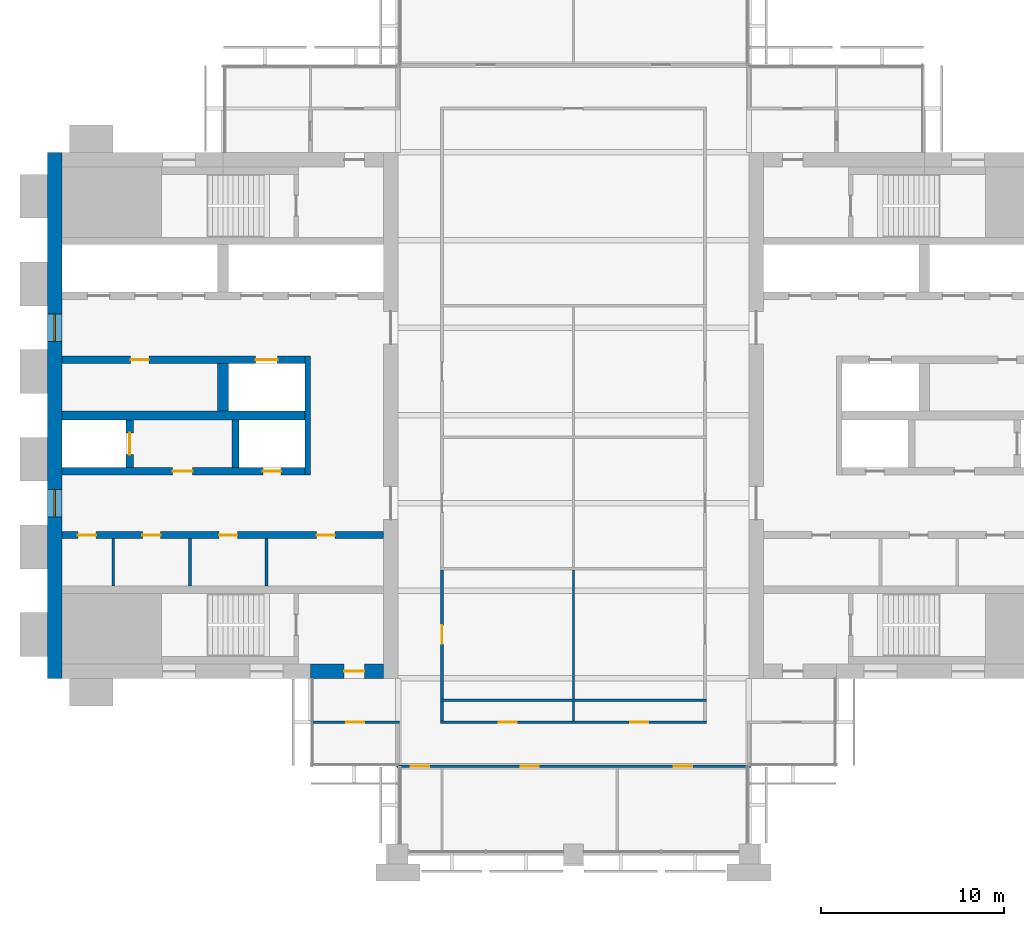
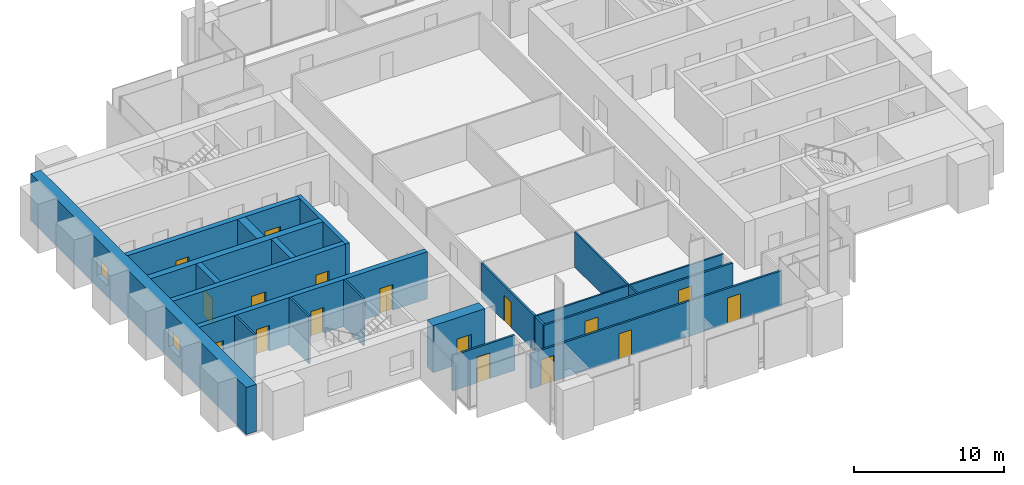
# One storey, part 8 of 13: 21 walls, 17 doors, 2 windows, 19 openings.
"""IFC4 building model written with IfcOpenShell, lengths in metres."""

from ifc_helpers import new_model, si_unit, direction, frame, frame_2d, origin, place, context, subcontext, project, spatial, rectangle, extrude, material, layer, layer_set, type_object, element, fill, save


model = new_model("IFC4")

# Units and contexts
model_context = context("Model", 3, precision=1e-05, world=origin(), true_north=direction((0.0, 1.0)))
body_context = subcontext(model_context, "Body", "Model", "MODEL_VIEW")
ifc_project = project(units=[si_unit("LENGTHUNIT", "METRE"), si_unit("AREAUNIT", "SQUARE_METRE"), si_unit("VOLUMEUNIT", "CUBIC_METRE"), si_unit("PLANEANGLEUNIT", "RADIAN"), si_unit("MASSUNIT", "GRAM", prefix="KILO")], contexts=[model_context])

# Site, building, storey
site_placement = place(None, origin())
site = spatial("IfcSite", under=ifc_project, at=site_placement, CompositionType="ELEMENT")
building_placement = place(site_placement, origin())
building = spatial("IfcBuilding", under=site, at=building_placement, Name="Baori Bourse Tower", CompositionType="ELEMENT")
storey_placement = place(building_placement, frame((0.0, 0.0, 237.199951171875)))
storey = spatial("IfcBuildingStorey", under=building, at=storey_placement, Name="L52", CompositionType="ELEMENT", Elevation=237.199951171875)

# Walls
ifc_material_1 = material(Name="Blockwork partition", Category="masonry")
ifc_layer_1 = layer(ifc_material_1, 0.14990234375)
ifc_layer_set_1 = layer_set([ifc_layer_1], Name="Core partition 150")
wall_type_1 = type_object("IfcWallType", Name="Core partition 150", PredefinedType="PARTITIONING", material=ifc_layer_set_1)
for number, where, z_axis, x_axis, name in (
    (1, (3.60009765625, 14.64990234375, 0.0), (0.0, 0.0, 1.0), (0.0, 1.0, 0.0), "Partition wall W09"),
    (2, (7.800048828125, 14.64990234375, 0.0), (0.0, 0.0, 1.0), (0.0, 1.0, 0.0), "Partition wall W10"),
    (3, (12.0, 14.64990234375, 0.0), (0.0, 0.0, 1.0), (0.0, 1.0, 0.0), "Partition wall W11"),
):
    element("IfcWall", number, at=place(storey_placement, frame(where, z_axis=z_axis, x_axis=x_axis)), inside=storey, type_object=wall_type_1, Name=name, PredefinedType="PARTITIONING", context=body_context, shape_type="SweptSolid", body=[
        extrude(rectangle(XDim=2.60009765625, YDim=0.14990234375, at=frame_2d((1.300048828125, 0.0))), origin(), (0.0, 0.0, 1.0), 3.840087890625),
    ])

# Wall, openings, windows
ifc_material_2 = material(Name="Concrete f'c 50 MPa", Category="concrete")
ifc_layer_2 = layer(ifc_material_2, 0.800048828125)
ifc_layer_set_2 = layer_set([ifc_layer_2], Name="Core wall 800 f'c 50")
wall_type_2 = type_object("IfcWallType", Name="Core wall 800 f'c 50", PredefinedType="SHEAR", material=ifc_layer_set_2)
wall_1_placement = place(storey_placement, frame((0.39990234375, 9.60009765625, 0.0), z_axis=(0.0, 0.0, 1.0), x_axis=(0.0, 1.0, 0.0)))
wall_1 = element("IfcWall", 4, at=wall_1_placement, inside=storey, type_object=wall_type_2, Name="Core wall W01", PredefinedType="SHEAR", context=body_context, shape_type="SweptSolid", body=[
    extrude(rectangle(XDim=28.7998046875, YDim=0.800048828125, at=frame_2d((14.39990234375, 0.0))), origin(), (0.0, 0.0, 1.0), 3.840087890625),
])
opening_1_placement = place(wall_1_placement, frame((8.85009765625, 0.0, 0.89990234375)))
opening_1 = element("IfcOpeningElement", 5, at=opening_1_placement, cuts=wall_1, Name="Opening L52-KW101", PredefinedType="OPENING", context=body_context, shape_type="SweptSolid", body=[
    extrude(rectangle(XDim=1.5, YDim=1.5, at=frame_2d((0.75, 0.75))), frame((0.0, 0.409912109375, 0.0), z_axis=(0.0, -1.0, 0.0), x_axis=(1.0, 0.0, 0.0)), (0.0, 0.0, 1.0), 0.820068359375),
])
opening_2_placement = place(wall_1_placement, frame((18.449951171875, 0.0, 0.89990234375)))
opening_2 = element("IfcOpeningElement", 6, at=opening_2_placement, cuts=wall_1, Name="Opening L52-KW102", PredefinedType="OPENING", context=body_context, shape_type="SweptSolid", body=[
    extrude(rectangle(XDim=1.5, YDim=1.5, at=frame_2d((0.75, 0.75))), frame((0.0, 0.409912109375, 0.0), z_axis=(0.0, -1.0, 0.0), x_axis=(1.0, 0.0, 0.0)), (0.0, 0.0, 1.0), 0.820068359375),
])
ifc_material_3 = material(Name="Pale anodised aluminium", Category="aluminium")
window_type = type_object("IfcWindowType", Name="Lobby window 1500 x 1500", PartitioningType="SINGLE_PANEL", PredefinedType="WINDOW", material=ifc_material_3)
window_1_placement = place(opening_1_placement, origin())
window_1 = element("IfcWindow", 7, at=window_1_placement, inside=storey, type_object=window_type, Name="Outer wall window W L52 1", OverallHeight=1.5, OverallWidth=1.5, PartitioningType="SINGLE_PANEL", PredefinedType="WINDOW", context=body_context, shape_type="SweptSolid", body=[
    extrude(rectangle(XDim=1.5, YDim=1.5, at=frame_2d((0.75, 0.75))), frame((0.0, 0.030029296875, 0.0), z_axis=(0.0, -1.0, 0.0), x_axis=(1.0, 0.0, 0.0)), (0.0, 0.0, 1.0), 0.06005859375),
])
fill(opening_1, window_1)
window_2_placement = place(opening_2_placement, origin())
window_2 = element("IfcWindow", 8, at=window_2_placement, inside=storey, type_object=window_type, Name="Outer wall window W L52 2", OverallHeight=1.5, OverallWidth=1.5, PartitioningType="SINGLE_PANEL", PredefinedType="WINDOW", context=body_context, shape_type="SweptSolid", body=[
    extrude(rectangle(XDim=1.5, YDim=1.5, at=frame_2d((0.75, 0.75))), frame((0.0, 0.030029296875, 0.0), z_axis=(0.0, -1.0, 0.0), x_axis=(1.0, 0.0, 0.0)), (0.0, 0.0, 1.0), 0.06005859375),
])
fill(opening_2, window_2)

# Wall, opening, door
wall_2_placement = place(storey_placement, frame((18.39990234375, 10.0, 0.0), z_axis=(0.0, 0.0, 1.0), x_axis=(-1.0, 0.0, 0.0)))
wall_2 = element("IfcWall", 9, at=wall_2_placement, inside=storey, type_object=wall_type_2, Name="Core wall W03", PredefinedType="SHEAR", context=body_context, shape_type="SweptSolid", body=[
    extrude(rectangle(XDim=4.0, YDim=0.800048828125, at=frame_2d((2.0, 0.0))), origin(), (0.0, 0.0, 1.0), 3.840087890625),
])
opening_3_placement = place(wall_2_placement, frame((1.050048828125, 0.0, 0.0)))
opening_3 = element("IfcOpeningElement", 10, at=opening_3_placement, cuts=wall_2, Name="Opening L52-D102", PredefinedType="OPENING", context=body_context, shape_type="SweptSolid", body=[
    extrude(rectangle(XDim=1.10009765625, YDim=2.10009765625, at=frame_2d((0.550048828125, 1.050048828125))), frame((0.0, 0.409912109375, 0.0), z_axis=(0.0, -1.0, 0.0), x_axis=(1.0, 0.0, 0.0)), (0.0, 0.0, 1.0), 0.820068359375),
])
ifc_material_4 = material(Name="Painted steel door", Category="steel")
door_type_1 = type_object("IfcDoorType", Name="Stair door 1100", OperationType="SINGLE_SWING_LEFT", PredefinedType="DOOR", material=ifc_material_4)
door_1_placement = place(opening_3_placement, origin())
door_1 = element("IfcDoor", 11, at=door_1_placement, inside=storey, type_object=door_type_1, Name="Stair vestibule door A W L52", OperationType="SINGLE_SWING_LEFT", OverallHeight=2.10009765625, OverallWidth=1.10009765625, PredefinedType="DOOR", context=body_context, shape_type="SweptSolid", body=[
    extrude(rectangle(XDim=1.10009765625, YDim=2.10009765625, at=frame_2d((0.550048828125, 1.050048828125))), frame((0.0, 0.02490234375, 0.0), z_axis=(0.0, -1.0, 0.0), x_axis=(1.0, 0.0, 0.0)), (0.0, 0.0, 1.0), 0.050048828125),
])
fill(opening_3, door_1)

# Wall, openings, doors
ifc_material_5 = material(Name="Gypsum board partition")
ifc_layer_3 = layer(ifc_material_5, 0.14990234375)
ifc_layer_set_3 = layer_set([ifc_layer_3], Name="Corridor partition 150")
wall_type_3 = type_object("IfcWallType", Name="Corridor partition 150", PredefinedType="PARTITIONING", material=ifc_layer_set_3)
wall_3_placement = place(storey_placement, frame((19.125, 4.800048828125, 0.0), z_axis=(0.0, 0.0, 1.0), x_axis=(1.0, 0.0, 0.0)))
wall_3 = element("IfcWall", 12, at=wall_3_placement, inside=storey, type_object=wall_type_3, Name="Partition", PredefinedType="PARTITIONING", context=body_context, shape_type="SweptSolid", body=[
    extrude(rectangle(XDim=19.35009765625, YDim=0.14990234375, at=frame_2d((9.675048828125, 0.0))), origin(), (0.0, 0.0, 1.0), 2.869873046875),
])
opening_4_placement = place(wall_3_placement, frame((0.77490234375, 0.0, 0.0)))
opening_4 = element("IfcOpeningElement", 13, at=opening_4_placement, cuts=wall_3, Name="Opening L52-D01", PredefinedType="OPENING", context=body_context, shape_type="SweptSolid", body=[
    extrude(rectangle(XDim=1.0, YDim=2.10009765625, at=frame_2d((0.5, 1.050048828125))), frame((0.0, 0.0849609375, 0.0), z_axis=(0.0, -1.0, 0.0), x_axis=(1.0, 0.0, 0.0)), (0.0, 0.0, 1.0), 0.169921875),
])
opening_5_placement = place(wall_3_placement, frame((6.77490234375, 0.0, 0.0)))
opening_5 = element("IfcOpeningElement", 14, at=opening_5_placement, cuts=wall_3, Name="Opening L52-D02", PredefinedType="OPENING", context=body_context, shape_type="SweptSolid", body=[
    extrude(rectangle(XDim=1.0, YDim=2.10009765625, at=frame_2d((0.5, 1.050048828125))), frame((0.0, 0.0849609375, 0.0), z_axis=(0.0, -1.0, 0.0), x_axis=(1.0, 0.0, 0.0)), (0.0, 0.0, 1.0), 0.169921875),
])
opening_6_placement = place(wall_3_placement, frame((15.175048828125, 0.0, 0.0)))
opening_6 = element("IfcOpeningElement", 15, at=opening_6_placement, cuts=wall_3, Name="Opening L52-D03", PredefinedType="OPENING", context=body_context, shape_type="SweptSolid", body=[
    extrude(rectangle(XDim=1.0, YDim=2.10009765625, at=frame_2d((0.5, 1.050048828125))), frame((0.0, 0.0849609375, 0.0), z_axis=(0.0, -1.0, 0.0), x_axis=(1.0, 0.0, 0.0)), (0.0, 0.0, 1.0), 0.169921875),
])
ifc_material_6 = material(Name="Timber door leaf", Category="wood")
door_type_2 = type_object("IfcDoorType", Name="Door 1000 x 2100", OperationType="SINGLE_SWING_LEFT", PredefinedType="DOOR", material=ifc_material_6)
door_2_placement = place(opening_4_placement, origin())
door_2 = element("IfcDoor", 16, at=door_2_placement, inside=storey, type_object=door_type_2, Name="Door", OperationType="SINGLE_SWING_LEFT", OverallHeight=2.10009765625, OverallWidth=1.0, PredefinedType="DOOR", context=body_context, shape_type="SweptSolid", body=[
    extrude(rectangle(XDim=1.0, YDim=2.10009765625, at=frame_2d((0.5, 1.050048828125))), frame((0.0, 0.02490234375, 0.0), z_axis=(0.0, -1.0, 0.0), x_axis=(1.0, 0.0, 0.0)), (0.0, 0.0, 1.0), 0.050048828125),
])
fill(opening_4, door_2)
door_3_placement = place(opening_5_placement, origin())
door_3 = element("IfcDoor", 17, at=door_3_placement, inside=storey, type_object=door_type_2, Name="Door", OperationType="SINGLE_SWING_LEFT", OverallHeight=2.10009765625, OverallWidth=1.0, PredefinedType="DOOR", context=body_context, shape_type="SweptSolid", body=[
    extrude(rectangle(XDim=1.0, YDim=2.10009765625, at=frame_2d((0.5, 1.050048828125))), frame((0.0, 0.02490234375, 0.0), z_axis=(0.0, -1.0, 0.0), x_axis=(1.0, 0.0, 0.0)), (0.0, 0.0, 1.0), 0.050048828125),
])
fill(opening_5, door_3)
door_4_placement = place(opening_6_placement, origin())
door_4 = element("IfcDoor", 18, at=door_4_placement, inside=storey, type_object=door_type_2, Name="Door", OperationType="SINGLE_SWING_RIGHT", OverallHeight=2.10009765625, OverallWidth=1.0, PredefinedType="DOOR", context=body_context, shape_type="SweptSolid", body=[
    extrude(rectangle(XDim=1.0, YDim=2.10009765625, at=frame_2d((0.5, 1.050048828125))), frame((0.0, 0.02490234375, 0.0), z_axis=(0.0, -1.0, 0.0), x_axis=(1.0, 0.0, 0.0)), (0.0, 0.0, 1.0), 0.050048828125),
])
fill(opening_6, door_4)

# Wall, opening, door
wall_4_placement = place(storey_placement, frame((14.5, 7.199951171875, 0.0), z_axis=(0.0, 0.0, 1.0), x_axis=(1.0, 0.0, 0.0)))
wall_4 = element("IfcWall", 19, at=wall_4_placement, inside=storey, type_object=wall_type_3, Name="Partition", PredefinedType="PARTITIONING", context=body_context, shape_type="SweptSolid", body=[
    extrude(rectangle(XDim=4.77490234375, YDim=0.14990234375, at=frame_2d((2.387451171875, 0.0))), origin(), (0.0, 0.0, 1.0), 2.869873046875),
])
opening_7_placement = place(wall_4_placement, frame((1.85009765625, 0.0, 0.0)))
opening_7 = element("IfcOpeningElement", 20, at=opening_7_placement, cuts=wall_4, Name="Opening L52-D04", PredefinedType="OPENING", context=body_context, shape_type="SweptSolid", body=[
    extrude(rectangle(XDim=1.0, YDim=2.10009765625, at=frame_2d((0.5, 1.050048828125))), frame((0.0, 0.0849609375, 0.0), z_axis=(0.0, -1.0, 0.0), x_axis=(1.0, 0.0, 0.0)), (0.0, 0.0, 1.0), 0.169921875),
])
door_5_placement = place(opening_7_placement, origin())
door_5 = element("IfcDoor", 21, at=door_5_placement, inside=storey, type_object=door_type_2, Name="Door", OperationType="SINGLE_SWING_LEFT", OverallHeight=2.10009765625, OverallWidth=1.0, PredefinedType="DOOR", context=body_context, shape_type="SweptSolid", body=[
    extrude(rectangle(XDim=1.0, YDim=2.10009765625, at=frame_2d((0.5, 1.050048828125))), frame((0.0, 0.02490234375, 0.0), z_axis=(0.0, -1.0, 0.0), x_axis=(1.0, 0.0, 0.0)), (0.0, 0.0, 1.0), 0.050048828125),
])
fill(opening_7, door_5)

# Wall, openings, doors
wall_5_placement = place(storey_placement, frame((21.52490234375, 7.199951171875, 0.0), z_axis=(0.0, 0.0, 1.0), x_axis=(1.0, 0.0, 0.0)))
wall_5 = element("IfcWall", 22, at=wall_5_placement, inside=storey, type_object=wall_type_3, Name="Partition", PredefinedType="PARTITIONING", context=body_context, shape_type="SweptSolid", body=[
    extrude(rectangle(XDim=14.550048828125, YDim=0.14990234375, at=frame_2d((7.27490234375, 0.0))), origin(), (0.0, 0.0, 1.0), 2.869873046875),
])
opening_8_placement = place(wall_5_placement, frame((3.175048828125, 0.0, 0.0)))
opening_8 = element("IfcOpeningElement", 23, at=opening_8_placement, cuts=wall_5, Name="Opening L52-D05", PredefinedType="OPENING", context=body_context, shape_type="SweptSolid", body=[
    extrude(rectangle(XDim=1.0, YDim=2.10009765625, at=frame_2d((0.5, 1.050048828125))), frame((0.0, 0.0849609375, 0.0), z_axis=(0.0, -1.0, 0.0), x_axis=(1.0, 0.0, 0.0)), (0.0, 0.0, 1.0), 0.169921875),
])
opening_9_placement = place(wall_5_placement, frame((10.375, 0.0, 0.0)))
opening_9 = element("IfcOpeningElement", 24, at=opening_9_placement, cuts=wall_5, Name="Opening L52-D06", PredefinedType="OPENING", context=body_context, shape_type="SweptSolid", body=[
    extrude(rectangle(XDim=1.0, YDim=2.10009765625, at=frame_2d((0.5, 1.050048828125))), frame((0.0, 0.0849609375, 0.0), z_axis=(0.0, -1.0, 0.0), x_axis=(1.0, 0.0, 0.0)), (0.0, 0.0, 1.0), 0.169921875),
])
door_6_placement = place(opening_8_placement, origin())
door_6 = element("IfcDoor", 25, at=door_6_placement, inside=storey, type_object=door_type_2, Name="Door", OperationType="SINGLE_SWING_RIGHT", OverallHeight=2.10009765625, OverallWidth=1.0, PredefinedType="DOOR", context=body_context, shape_type="SweptSolid", body=[
    extrude(rectangle(XDim=1.0, YDim=2.10009765625, at=frame_2d((0.5, 1.050048828125))), frame((0.0, 0.02490234375, 0.0), z_axis=(0.0, -1.0, 0.0), x_axis=(1.0, 0.0, 0.0)), (0.0, 0.0, 1.0), 0.050048828125),
])
fill(opening_8, door_6)
door_7_placement = place(opening_9_placement, origin())
door_7 = element("IfcDoor", 26, at=door_7_placement, inside=storey, type_object=door_type_2, Name="Door", OperationType="SINGLE_SWING_LEFT", OverallHeight=2.10009765625, OverallWidth=1.0, PredefinedType="DOOR", context=body_context, shape_type="SweptSolid", body=[
    extrude(rectangle(XDim=1.0, YDim=2.10009765625, at=frame_2d((0.5, 1.050048828125))), frame((0.0, 0.02490234375, 0.0), z_axis=(0.0, -1.0, 0.0), x_axis=(1.0, 0.0, 0.0)), (0.0, 0.0, 1.0), 0.050048828125),
])
fill(opening_9, door_7)

# Wall
wall_6_placement = place(storey_placement, frame((21.60009765625, 7.27490234375, 0.0), z_axis=(0.0, 0.0, 1.0), x_axis=(0.0, 1.0, 0.0)))
element("IfcWall", 27, at=wall_6_placement, inside=storey, type_object=wall_type_3, Name="Partition", PredefinedType="PARTITIONING", context=body_context, shape_type="SweptSolid", body=[
    extrude(rectangle(XDim=1.0625, YDim=0.14990234375, at=frame_2d((0.53125, 0.0))), origin(), (0.0, 0.0, 1.0), 2.869873046875),
])

# Wall, opening, door
wall_7_placement = place(storey_placement, frame((21.60009765625, 8.46240234375, 0.0), z_axis=(0.0, 0.0, 1.0), x_axis=(0.0, 1.0, 0.0)))
wall_7 = element("IfcWall", 28, at=wall_7_placement, inside=storey, type_object=wall_type_3, Name="Partition", PredefinedType="PARTITIONING", context=body_context, shape_type="SweptSolid", body=[
    extrude(rectangle(XDim=7.0751953125, YDim=0.14990234375, at=frame_2d((3.53759765625, 0.0))), origin(), (0.0, 0.0, 1.0), 2.869873046875),
])
opening_10_placement = place(wall_7_placement, frame((3.03759765625, 0.0, 0.0)))
opening_10 = element("IfcOpeningElement", 29, at=opening_10_placement, cuts=wall_7, Name="Opening L52-D14", PredefinedType="OPENING", context=body_context, shape_type="SweptSolid", body=[
    extrude(rectangle(XDim=1.0, YDim=2.10009765625, at=frame_2d((0.5, 1.050048828125))), frame((0.0, 0.0849609375, 0.0), z_axis=(0.0, -1.0, 0.0), x_axis=(1.0, 0.0, 0.0)), (0.0, 0.0, 1.0), 0.169921875),
])
door_8_placement = place(opening_10_placement, origin())
door_8 = element("IfcDoor", 30, at=door_8_placement, inside=storey, type_object=door_type_2, Name="Door", OperationType="SINGLE_SWING_LEFT", OverallHeight=2.10009765625, OverallWidth=1.0, PredefinedType="DOOR", context=body_context, shape_type="SweptSolid", body=[
    extrude(rectangle(XDim=1.0, YDim=2.10009765625, at=frame_2d((0.5, 1.050048828125))), frame((0.0, 0.02490234375, 0.0), z_axis=(0.0, -1.0, 0.0), x_axis=(1.0, 0.0, 0.0)), (0.0, 0.0, 1.0), 0.050048828125),
])
fill(opening_10, door_8)

# Walls
ifc_material_7 = material(Name="Gypsum board partition")
ifc_layer_4 = layer(ifc_material_7, 0.125)
ifc_layer_set_4 = layer_set([ifc_layer_4], Name="Partition 125")
wall_type_4 = type_object("IfcWallType", Name="Partition 125", PredefinedType="PARTITIONING", material=ifc_layer_set_4)
wall_8_placement = place(storey_placement, frame((21.52490234375, 8.39990234375, 0.0), z_axis=(0.0, 0.0, 1.0), x_axis=(1.0, 0.0, 0.0)))
element("IfcWall", 31, at=wall_8_placement, inside=storey, type_object=wall_type_4, Name="Partition", PredefinedType="PARTITIONING", context=body_context, shape_type="SweptSolid", body=[
    extrude(rectangle(XDim=14.550048828125, YDim=0.125, at=frame_2d((7.27490234375, 0.0))), origin(), (0.0, 0.0, 1.0), 2.869873046875),
])
wall_9_placement = place(storey_placement, frame((28.800048828125, 7.27490234375, 0.0), z_axis=(0.0, 0.0, 1.0), x_axis=(0.0, 1.0, 0.0)))
element("IfcWall", 32, at=wall_9_placement, inside=storey, type_object=wall_type_4, Name="Partition", PredefinedType="PARTITIONING", context=body_context, shape_type="SweptSolid", body=[
    extrude(rectangle(XDim=1.0625, YDim=0.125, at=frame_2d((0.53125, 0.0))), origin(), (0.0, 0.0, 1.0), 2.869873046875),
])
wall_10_placement = place(storey_placement, frame((28.800048828125, 8.46240234375, 0.0), z_axis=(0.0, 0.0, 1.0), x_axis=(0.0, 1.0, 0.0)))
element("IfcWall", 33, at=wall_10_placement, inside=storey, type_object=wall_type_4, Name="Partition", PredefinedType="PARTITIONING", context=body_context, shape_type="SweptSolid", body=[
    extrude(rectangle(XDim=7.0751953125, YDim=0.125, at=frame_2d((3.53759765625, 0.0))), origin(), (0.0, 0.0, 1.0), 2.869873046875),
])
ifc_material_8 = material(Name="Concrete f'c 50 MPa", Category="concrete")
ifc_layer_5 = layer(ifc_material_8, 0.300048828125)
ifc_layer_set_5 = layer_set([ifc_layer_5], Name="Shaft wall 300 f'c 50")
wall_type_5 = type_object("IfcWallType", Name="Shaft wall 300 f'c 50", PredefinedType="SHEAR", material=ifc_layer_set_5)
wall_11_placement = place(storey_placement, frame((14.25, 20.75, 0.0), z_axis=(0.0, 0.0, 1.0), x_axis=(0.0, 1.0, 0.0)))
element("IfcWall", 34, at=wall_11_placement, inside=storey, type_object=wall_type_5, Name="Core wall W14", PredefinedType="SHEAR", context=body_context, shape_type="SweptSolid", body=[
    extrude(rectangle(XDim=6.5, YDim=0.300048828125, at=frame_2d((3.25, 0.0))), origin(), (0.0, 0.0, 1.0), 3.840087890625),
])

# Wall, openings, doors
ifc_material_9 = material(Name="Concrete f'c 50 MPa", Category="concrete")
ifc_layer_6 = layer(ifc_material_9, 0.39990234375)
ifc_layer_set_6 = layer_set([ifc_layer_6], Name="Shaft wall 400 f'c 50")
wall_type_6 = type_object("IfcWallType", Name="Shaft wall 400 f'c 50", PredefinedType="SHEAR", material=ifc_layer_set_6)
wall_12_placement = place(storey_placement, frame((0.800048828125, 17.449951171875, 0.0), z_axis=(0.0, 0.0, 1.0), x_axis=(1.0, 0.0, 0.0)))
wall_12 = element("IfcWall", 35, at=wall_12_placement, inside=storey, type_object=wall_type_6, Name="Core wall W12", PredefinedType="SHEAR", context=body_context, shape_type="SweptSolid", body=[
    extrude(rectangle(XDim=17.599853515625, YDim=0.39990234375, at=frame_2d((8.7998046875, 0.0))), origin(), (0.0, 0.0, 1.0), 3.840087890625),
])
opening_11_placement = place(wall_12_placement, frame((0.862548828125, 0.0, 0.0)))
opening_11 = element("IfcOpeningElement", 36, at=opening_11_placement, cuts=wall_12, Name="Opening L52-D109", PredefinedType="OPENING", context=body_context, shape_type="SweptSolid", body=[
    extrude(rectangle(XDim=1.0, YDim=2.10009765625, at=frame_2d((0.5, 1.050048828125))), frame((0.0, 0.2099609375, 0.0), z_axis=(0.0, -1.0, 0.0), x_axis=(1.0, 0.0, 0.0)), (0.0, 0.0, 1.0), 0.419921875),
])
opening_12_placement = place(wall_12_placement, frame((4.39990234375, 0.0, 0.0)))
opening_12 = element("IfcOpeningElement", 37, at=opening_12_placement, cuts=wall_12, Name="Opening L52-D110", PredefinedType="OPENING", context=body_context, shape_type="SweptSolid", body=[
    extrude(rectangle(XDim=1.0, YDim=2.10009765625, at=frame_2d((0.5, 1.050048828125))), frame((0.0, 0.2099609375, 0.0), z_axis=(0.0, -1.0, 0.0), x_axis=(1.0, 0.0, 0.0)), (0.0, 0.0, 1.0), 0.419921875),
])
opening_13_placement = place(wall_12_placement, frame((8.60009765625, 0.0, 0.0)))
opening_13 = element("IfcOpeningElement", 38, at=opening_13_placement, cuts=wall_12, Name="Opening L52-D111", PredefinedType="OPENING", context=body_context, shape_type="SweptSolid", body=[
    extrude(rectangle(XDim=1.0, YDim=2.10009765625, at=frame_2d((0.5, 1.050048828125))), frame((0.0, 0.2099609375, 0.0), z_axis=(0.0, -1.0, 0.0), x_axis=(1.0, 0.0, 0.0)), (0.0, 0.0, 1.0), 0.419921875),
])
opening_14_placement = place(wall_12_placement, frame((13.9375, 0.0, 0.0)))
opening_14 = element("IfcOpeningElement", 39, at=opening_14_placement, cuts=wall_12, Name="Opening L52-D112", PredefinedType="OPENING", context=body_context, shape_type="SweptSolid", body=[
    extrude(rectangle(XDim=1.0, YDim=2.10009765625, at=frame_2d((0.5, 1.050048828125))), frame((0.0, 0.2099609375, 0.0), z_axis=(0.0, -1.0, 0.0), x_axis=(1.0, 0.0, 0.0)), (0.0, 0.0, 1.0), 0.419921875),
])
ifc_material_10 = material(Name="Painted steel door", Category="steel")
door_type_3 = type_object("IfcDoorType", Name="Core door 1000", OperationType="SINGLE_SWING_LEFT", PredefinedType="DOOR", material=ifc_material_10)
door_9_placement = place(opening_12_placement, origin())
door_9 = element("IfcDoor", 40, at=door_9_placement, inside=storey, type_object=door_type_3, Name="Women'S Wc door W L52", OperationType="SINGLE_SWING_LEFT", OverallHeight=2.10009765625, OverallWidth=1.0, PredefinedType="DOOR", context=body_context, shape_type="SweptSolid", body=[
    extrude(rectangle(XDim=1.0, YDim=2.10009765625, at=frame_2d((0.5, 1.050048828125))), frame((0.0, 0.02490234375, 0.0), z_axis=(0.0, -1.0, 0.0), x_axis=(1.0, 0.0, 0.0)), (0.0, 0.0, 1.0), 0.050048828125),
])
fill(opening_12, door_9)
door_10_placement = place(opening_13_placement, origin())
door_10 = element("IfcDoor", 41, at=door_10_placement, inside=storey, type_object=door_type_3, Name="Accessible Wc door W L52", OperationType="SINGLE_SWING_LEFT", OverallHeight=2.10009765625, OverallWidth=1.0, PredefinedType="DOOR", context=body_context, shape_type="SweptSolid", body=[
    extrude(rectangle(XDim=1.0, YDim=2.10009765625, at=frame_2d((0.5, 1.050048828125))), frame((0.0, 0.02490234375, 0.0), z_axis=(0.0, -1.0, 0.0), x_axis=(1.0, 0.0, 0.0)), (0.0, 0.0, 1.0), 0.050048828125),
])
fill(opening_13, door_10)
door_11_placement = place(opening_14_placement, origin())
door_11 = element("IfcDoor", 42, at=door_11_placement, inside=storey, type_object=door_type_3, Name="Men'S Wc door W L52", OperationType="SINGLE_SWING_LEFT", OverallHeight=2.10009765625, OverallWidth=1.0, PredefinedType="DOOR", context=body_context, shape_type="SweptSolid", body=[
    extrude(rectangle(XDim=1.0, YDim=2.10009765625, at=frame_2d((0.5, 1.050048828125))), frame((0.0, 0.02490234375, 0.0), z_axis=(0.0, -1.0, 0.0), x_axis=(1.0, 0.0, 0.0)), (0.0, 0.0, 1.0), 0.050048828125),
])
fill(opening_14, door_11)
ifc_material_11 = material(Name="Painted steel door", Category="steel")
door_type_4 = type_object("IfcDoorType", Name="Plant room door 1000", OperationType="SINGLE_SWING_LEFT", PredefinedType="DOOR", material=ifc_material_11)
door_12_placement = place(opening_11_placement, origin())
door_12 = element("IfcDoor", 43, at=door_12_placement, inside=storey, type_object=door_type_4, Name="Communications Room door W L52", OperationType="SINGLE_SWING_LEFT", OverallHeight=2.10009765625, OverallWidth=1.0, PredefinedType="DOOR", context=body_context, shape_type="SweptSolid", body=[
    extrude(rectangle(XDim=1.0, YDim=2.10009765625, at=frame_2d((0.5, 1.050048828125))), frame((0.0, 0.02490234375, 0.0), z_axis=(0.0, -1.0, 0.0), x_axis=(1.0, 0.0, 0.0)), (0.0, 0.0, 1.0), 0.050048828125),
])
fill(opening_11, door_12)

wall_13_placement = place(storey_placement, frame((0.800048828125, 20.949951171875, 0.0), z_axis=(0.0, 0.0, 1.0), x_axis=(1.0, 0.0, 0.0)))
wall_13 = element("IfcWall", 44, at=wall_13_placement, inside=storey, type_object=wall_type_6, Name="Core wall W13", PredefinedType="SHEAR", context=body_context, shape_type="SweptSolid", body=[
    extrude(rectangle(XDim=13.300048828125, YDim=0.39990234375, at=frame_2d((6.64990234375, 0.0))), origin(), (0.0, 0.0, 1.0), 3.840087890625),
])
opening_15_placement = place(wall_13_placement, frame((6.050048828125, 0.0, 0.0)))
opening_15 = element("IfcOpeningElement", 45, at=opening_15_placement, cuts=wall_13, Name="Opening L52-D105", PredefinedType="OPENING", context=body_context, shape_type="SweptSolid", body=[
    extrude(rectangle(XDim=1.10009765625, YDim=2.10009765625, at=frame_2d((0.550048828125, 1.050048828125))), frame((0.0, 0.2099609375, 0.0), z_axis=(0.0, -1.0, 0.0), x_axis=(1.0, 0.0, 0.0)), (0.0, 0.0, 1.0), 0.419921875),
])
opening_16_placement = place(wall_13_placement, frame((11.0, 0.0, 0.0)))
opening_16 = element("IfcOpeningElement", 46, at=opening_16_placement, cuts=wall_13, Name="Opening L52-D106", PredefinedType="OPENING", context=body_context, shape_type="SweptSolid", body=[
    extrude(rectangle(XDim=1.0, YDim=2.10009765625, at=frame_2d((0.5, 1.050048828125))), frame((0.0, 0.2099609375, 0.0), z_axis=(0.0, -1.0, 0.0), x_axis=(1.0, 0.0, 0.0)), (0.0, 0.0, 1.0), 0.419921875),
])
ifc_material_12 = material(Name="Painted steel door", Category="steel")
door_type_5 = type_object("IfcDoorType", Name="Lobby door 1100", OperationType="SINGLE_SWING_LEFT", PredefinedType="DOOR", material=ifc_material_12)
door_13_placement = place(opening_15_placement, origin())
door_13 = element("IfcDoor", 47, at=door_13_placement, inside=storey, type_object=door_type_5, Name="Firefighting lobby door W L52", OperationType="SINGLE_SWING_LEFT", OverallHeight=2.10009765625, OverallWidth=1.10009765625, PredefinedType="DOOR", context=body_context, shape_type="SweptSolid", body=[
    extrude(rectangle(XDim=1.10009765625, YDim=2.10009765625, at=frame_2d((0.550048828125, 1.050048828125))), frame((0.0, 0.02490234375, 0.0), z_axis=(0.0, -1.0, 0.0), x_axis=(1.0, 0.0, 0.0)), (0.0, 0.0, 1.0), 0.050048828125),
])
fill(opening_15, door_13)
ifc_material_13 = material(Name="Painted steel door", Category="steel")
door_type_6 = type_object("IfcDoorType", Name="Shaft door 1000", OperationType="SINGLE_SWING_LEFT", PredefinedType="DOOR", material=ifc_material_13)
door_14_placement = place(opening_16_placement, origin())
door_14 = element("IfcDoor", 48, at=door_14_placement, inside=storey, type_object=door_type_6, Name="Riser room door W L52", OperationType="SINGLE_SWING_LEFT", OverallHeight=2.10009765625, OverallWidth=1.0, PredefinedType="DOOR", context=body_context, shape_type="SweptSolid", body=[
    extrude(rectangle(XDim=1.0, YDim=2.10009765625, at=frame_2d((0.5, 1.050048828125))), frame((0.0, 0.02490234375, 0.0), z_axis=(0.0, -1.0, 0.0), x_axis=(1.0, 0.0, 0.0)), (0.0, 0.0, 1.0), 0.050048828125),
])
fill(opening_16, door_14)

# Wall, opening, door
wall_14_placement = place(storey_placement, frame((4.5, 21.14990234375, 0.0), z_axis=(0.0, 0.0, 1.0), x_axis=(0.0, 1.0, 0.0)))
wall_14 = element("IfcWall", 49, at=wall_14_placement, inside=storey, type_object=wall_type_6, Name="Core wall W15", PredefinedType="SHEAR", context=body_context, shape_type="SweptSolid", body=[
    extrude(rectangle(XDim=2.60009765625, YDim=0.39990234375, at=frame_2d((1.300048828125, 0.0))), origin(), (0.0, 0.0, 1.0), 3.840087890625),
])
opening_17_placement = place(wall_14_placement, frame((0.699951171875, 0.0, 0.0)))
opening_17 = element("IfcOpeningElement", 50, at=opening_17_placement, cuts=wall_14, Name="Opening L52-D121", PredefinedType="OPENING", context=body_context, shape_type="SweptSolid", body=[
    extrude(rectangle(XDim=1.199951171875, YDim=2.10009765625, at=frame_2d((0.60009765625, 1.050048828125))), frame((0.0, 0.2099609375, 0.0), z_axis=(0.0, -1.0, 0.0), x_axis=(1.0, 0.0, 0.0)), (0.0, 0.0, 1.0), 0.419921875),
])
ifc_material_14 = material(Name="Stainless steel door", Category="steel")
door_type_7 = type_object("IfcDoorType", Name="Lift landing door", OperationType="DOUBLE_DOOR_SLIDING", PredefinedType="DOOR", material=ifc_material_14)
door_15_placement = place(opening_17_placement, origin())
door_15 = element("IfcDoor", 51, at=door_15_placement, inside=storey, type_object=door_type_7, Name="Lift landing door FF1 W L52", OperationType="DOUBLE_DOOR_SLIDING", OverallHeight=2.10009765625, OverallWidth=1.199951171875, PredefinedType="DOOR", context=body_context, shape_type="SweptSolid", body=[
    extrude(rectangle(XDim=1.199951171875, YDim=2.10009765625, at=frame_2d((0.60009765625, 1.050048828125))), frame((0.0, 0.02490234375, 0.0), z_axis=(0.0, -1.0, 0.0), x_axis=(1.0, 0.0, 0.0)), (0.0, 0.0, 1.0), 0.050048828125),
])
fill(opening_17, door_15)

# Wall
wall_15_placement = place(storey_placement, frame((10.300048828125, 21.14990234375, 0.0), z_axis=(0.0, 0.0, 1.0), x_axis=(0.0, 1.0, 0.0)))
element("IfcWall", 52, at=wall_15_placement, inside=storey, type_object=wall_type_6, Name="Core wall W16", PredefinedType="SHEAR", context=body_context, shape_type="SweptSolid", body=[
    extrude(rectangle(XDim=2.60009765625, YDim=0.39990234375, at=frame_2d((1.300048828125, 0.0))), origin(), (0.0, 0.0, 1.0), 3.840087890625),
])

# Wall, openings, doors
wall_16_placement = place(storey_placement, frame((0.800048828125, 27.050048828125, 0.0), z_axis=(0.0, 0.0, 1.0), x_axis=(1.0, 0.0, 0.0)))
wall_16 = element("IfcWall", 53, at=wall_16_placement, inside=storey, type_object=wall_type_6, Name="Core wall W19", PredefinedType="SHEAR", context=body_context, shape_type="SweptSolid", body=[
    extrude(rectangle(XDim=13.300048828125, YDim=0.39990234375, at=frame_2d((6.64990234375, 0.0))), origin(), (0.0, 0.0, 1.0), 3.840087890625),
])
opening_18_placement = place(wall_16_placement, frame((3.75, 0.0, 0.0)))
opening_18 = element("IfcOpeningElement", 54, at=opening_18_placement, cuts=wall_16, Name="Opening L52-D113", PredefinedType="OPENING", context=body_context, shape_type="SweptSolid", body=[
    extrude(rectangle(XDim=1.0, YDim=2.10009765625, at=frame_2d((0.5, 1.050048828125))), frame((0.0, 0.2099609375, 0.0), z_axis=(0.0, -1.0, 0.0), x_axis=(1.0, 0.0, 0.0)), (0.0, 0.0, 1.0), 0.419921875),
])
opening_19_placement = place(wall_16_placement, frame((10.60009765625, 0.0, 0.0)))
opening_19 = element("IfcOpeningElement", 55, at=opening_19_placement, cuts=wall_16, Name="Opening L52-D120", PredefinedType="OPENING", context=body_context, shape_type="SweptSolid", body=[
    extrude(rectangle(XDim=1.199951171875, YDim=2.10009765625, at=frame_2d((0.60009765625, 1.050048828125))), frame((0.0, 0.2099609375, 0.0), z_axis=(0.0, -1.0, 0.0), x_axis=(1.0, 0.0, 0.0)), (0.0, 0.0, 1.0), 0.419921875),
])
door_16_placement = place(opening_18_placement, origin())
door_16 = element("IfcDoor", 56, at=door_16_placement, inside=storey, type_object=door_type_3, Name="Recycling Room door W L52", OperationType="SINGLE_SWING_LEFT", OverallHeight=2.10009765625, OverallWidth=1.0, PredefinedType="DOOR", context=body_context, shape_type="SweptSolid", body=[
    extrude(rectangle(XDim=1.0, YDim=2.10009765625, at=frame_2d((0.5, 1.050048828125))), frame((0.0, 0.02490234375, 0.0), z_axis=(0.0, -1.0, 0.0), x_axis=(1.0, 0.0, 0.0)), (0.0, 0.0, 1.0), 0.050048828125),
])
fill(opening_18, door_16)
door_17_placement = place(opening_19_placement, origin())
door_17 = element("IfcDoor", 57, at=door_17_placement, inside=storey, type_object=door_type_7, Name="Lift landing door SV1 W L52", OperationType="DOUBLE_DOOR_SLIDING", OverallHeight=2.10009765625, OverallWidth=1.199951171875, PredefinedType="DOOR", context=body_context, shape_type="SweptSolid", body=[
    extrude(rectangle(XDim=1.199951171875, YDim=2.10009765625, at=frame_2d((0.60009765625, 1.050048828125))), frame((0.0, 0.02490234375, 0.0), z_axis=(0.0, -1.0, 0.0), x_axis=(1.0, 0.0, 0.0)), (0.0, 0.0, 1.0), 0.050048828125),
])
fill(opening_19, door_17)

# Walls
ifc_material_15 = material(Name="Concrete f'c 50 MPa", Category="concrete")
ifc_layer_7 = layer(ifc_material_15, 0.5)
ifc_layer_set_7 = layer_set([ifc_layer_7], Name="Shaft wall 500 f'c 50")
wall_type_7 = type_object("IfcWallType", Name="Shaft wall 500 f'c 50", PredefinedType="SHEAR", material=ifc_layer_set_7)
wall_17_placement = place(storey_placement, frame((0.800048828125, 24.0, 0.0), z_axis=(0.0, 0.0, 1.0), x_axis=(1.0, 0.0, 0.0)))
element("IfcWall", 58, at=wall_17_placement, inside=storey, type_object=wall_type_7, Name="Core wall W17", PredefinedType="SHEAR", context=body_context, shape_type="SweptSolid", body=[
    extrude(rectangle(XDim=13.300048828125, YDim=0.5, at=frame_2d((6.64990234375, 0.0))), origin(), (0.0, 0.0, 1.0), 3.840087890625),
])
ifc_material_16 = material(Name="Concrete f'c 50 MPa", Category="concrete")
ifc_layer_8 = layer(ifc_material_16, 0.60009765625)
ifc_layer_set_8 = layer_set([ifc_layer_8], Name="Shaft wall 600 f'c 50")
wall_type_8 = type_object("IfcWallType", Name="Shaft wall 600 f'c 50", PredefinedType="SHEAR", material=ifc_layer_set_8)
wall_18_placement = place(storey_placement, frame((9.60009765625, 24.25, 0.0), z_axis=(0.0, 0.0, 1.0), x_axis=(0.0, 1.0, 0.0)))
element("IfcWall", 59, at=wall_18_placement, inside=storey, type_object=wall_type_8, Name="Core wall W18", PredefinedType="SHEAR", context=body_context, shape_type="SweptSolid", body=[
    extrude(rectangle(XDim=2.60009765625, YDim=0.60009765625, at=frame_2d((1.300048828125, 0.0))), origin(), (0.0, 0.0, 1.0), 3.840087890625),
])

save(model, "model.ifc")
